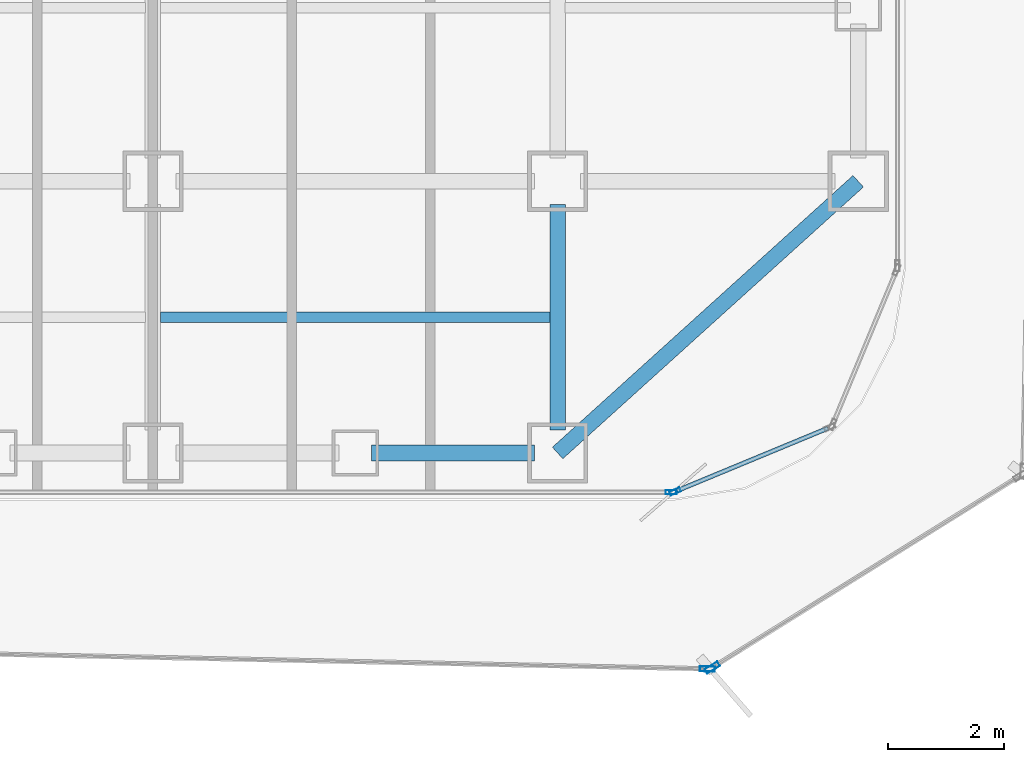
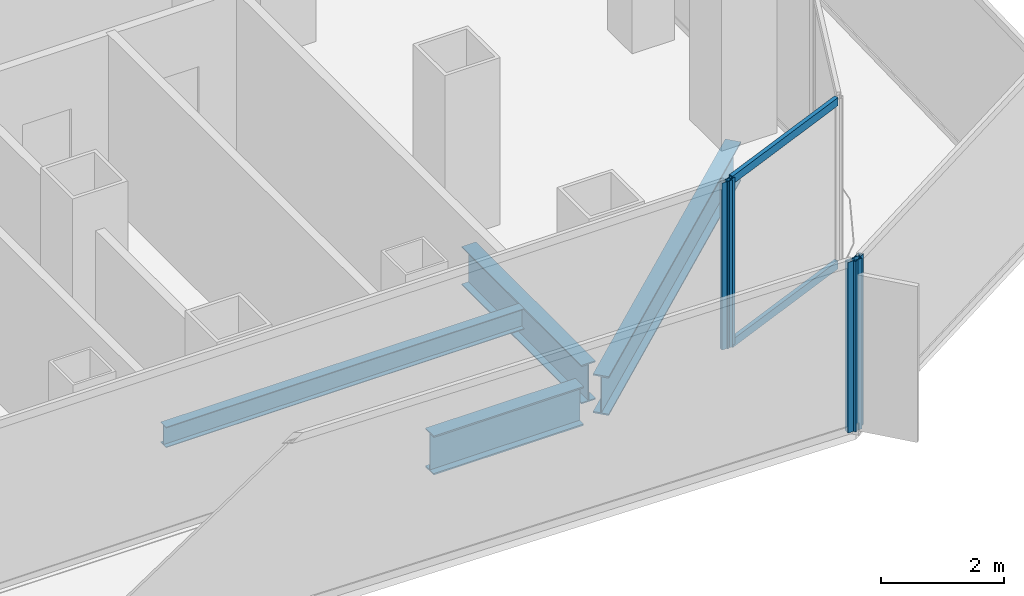
# One storey, part 6 of 21: 6 members, 4 beams, 4 elements without a shape of their own.
"""IFC4 building model written with IfcOpenShell, lengths in metres."""

from ifc_helpers import new_model, si_unit, direction, frame, origin, origin_2d, place, context, subcontext, project, spatial, hollow_rectangle, i_section, extrude, source, transform, mapped, material, layer, layer_set, material_profile, profile_set, type_object, element, aggregate, save


model = new_model("IFC4")

# Units and contexts
model_context = context("Model", 3, precision=1e-05, world=origin(), true_north=direction((0.0, 1.0)))
body_context = subcontext(model_context, "Body", "Model", "MODEL_VIEW")
ifc_project = project(units=[si_unit("LENGTHUNIT", "METRE"), si_unit("AREAUNIT", "SQUARE_METRE"), si_unit("VOLUMEUNIT", "CUBIC_METRE"), si_unit("PLANEANGLEUNIT", "RADIAN"), si_unit("MASSUNIT", "GRAM", prefix="KILO")], contexts=[model_context])

# Site, building, storey
site_placement = place(None, origin())
site = spatial("IfcSite", under=ifc_project, at=site_placement, CompositionType="ELEMENT")
building_placement = place(site_placement, origin())
building = spatial("IfcBuilding", under=site, at=building_placement, Name="Kolveth Station Tower", CompositionType="ELEMENT")
storey_placement = place(building_placement, frame((0.0, 0.0, 26.10009765625)))
storey = spatial("IfcBuildingStorey", under=building, at=storey_placement, Name="L06", CompositionType="ELEMENT", Elevation=26.10009765625)

# Beams
ifc_material_1 = material(Name="Steel S355", Category="steel")
ifc_material_profile_1 = material_profile(ifc_material_1, i_section(OverallWidth=0.26904296875, OverallDepth=0.77490234375, WebThickness=0.01708984375, FlangeThickness=0.0283203125, at=origin_2d()), Name="W760x220")
ifc_profile_set_1 = profile_set([ifc_material_profile_1], Name="Steel S355")
beam_type_1 = type_object("IfcBeamType", Name="Beam_SP1", PredefinedType="SPANDREL", material=ifc_profile_set_1)
shared_shape_1 = source(origin(), body_context, "Body", "SweptSolid", [
    extrude(i_section(OverallWidth=0.26904296875, OverallDepth=0.77490234375, WebThickness=0.01708984375, FlangeThickness=0.0283203125, at=origin_2d()), origin(), (0.0, 0.0, 1.0), 7.00927734375),
])
beam_1_placement = place(storey_placement, frame((41.0, 0.800048828125, -0.66748046875), z_axis=(0.741874009795, 0.670539300557, 0.0), x_axis=(-0.670539300557, 0.741874009795, 0.0)))
element("IfcBeam", 1, at=beam_1_placement, inside=storey, type_object=beam_type_1, Name="L06 Corner Edge Girder BM-L06-CNR-SE", PredefinedType="SPANDREL", context=body_context, shape_type="MappedRepresentation", body=[
    mapped(shared_shape_1, transform((0.0, 0.0, 0.0), x_axis=(1.0, 0.0, 0.0), y_axis=(0.0, 1.0, 0.0), z_axis=(0.0, 0.0, 1.0), scale=1.0)),
])
shared_shape_2 = source(origin(), body_context, "Body", "SweptSolid", [
    extrude(i_section(OverallWidth=0.26904296875, OverallDepth=0.77490234375, WebThickness=0.01708984375, FlangeThickness=0.0283203125, at=origin_2d()), origin(), (0.0, 0.0, 1.0), 2.820068359375),
])
beam_2_placement = place(storey_placement, frame((37.780029296875, 0.800048828125, -0.66748046875), z_axis=(1.0, 0.0, 0.0), x_axis=(0.0, 1.0, 0.0)))
element("IfcBeam", 2, at=beam_2_placement, inside=storey, type_object=beam_type_1, Name="L06 Perimeter Spandrel BM-L06-PS-10", PredefinedType="SPANDREL", context=body_context, shape_type="MappedRepresentation", body=[
    mapped(shared_shape_2, transform((0.0, 0.0, 0.0), x_axis=(1.0, 0.0, 0.0), y_axis=(0.0, 1.0, 0.0), z_axis=(0.0, 0.0, 1.0), scale=1.0)),
])
ifc_material_profile_2 = material_profile(ifc_material_1, i_section(OverallWidth=0.26708984375, OverallDepth=0.76611328125, WebThickness=0.014892578125, FlangeThickness=0.023681640625, at=origin_2d()), Name="W760x185")
ifc_profile_set_2 = profile_set([ifc_material_profile_2], Name="Steel S355")
beam_type_2 = type_object("IfcBeamType", Name="Beam_B3", PredefinedType="BEAM", material=ifc_profile_set_2)
shared_shape_3 = source(origin(), body_context, "Body", "SweptSolid", [
    extrude(i_section(OverallWidth=0.26708984375, OverallDepth=0.76611328125, WebThickness=0.014892578125, FlangeThickness=0.023681640625, at=origin_2d()), origin(), (0.0, 0.0, 1.0), 3.900146484375),
])
beam_3_placement = place(storey_placement, frame((41.0, 1.199951171875, -0.6630859375), z_axis=(0.0, 1.0, 0.0), x_axis=(-1.0, 0.0, 0.0)))
element("IfcBeam", 3, at=beam_3_placement, inside=storey, type_object=beam_type_2, Name="L06 Primary Girder BM-L06-GX410-1", PredefinedType="BEAM", context=body_context, shape_type="MappedRepresentation", body=[
    mapped(shared_shape_3, transform((0.0, 0.0, 0.0), x_axis=(1.0, 0.0, 0.0), y_axis=(0.0, 1.0, 0.0), z_axis=(0.0, 0.0, 1.0), scale=1.0)),
])
ifc_material_profile_3 = material_profile(ifc_material_1, i_section(OverallWidth=0.177978515625, OverallDepth=0.406982421875, WebThickness=0.0078125, FlangeThickness=0.0126953125, at=origin_2d()), Name="W410x60")
ifc_profile_set_3 = profile_set([ifc_material_profile_3], Name="Steel S355")
beam_type_3 = type_object("IfcBeamType", Name="Beam_J1", PredefinedType="JOIST", material=ifc_profile_set_3)
shared_shape_4 = source(origin(), body_context, "Body", "SweptSolid", [
    extrude(i_section(OverallWidth=0.177978515625, OverallDepth=0.406982421875, WebThickness=0.0078125, FlangeThickness=0.0126953125, at=origin_2d()), origin(), (0.0, 0.0, 1.0), 6.73681640625),
])
beam_4_placement = place(storey_placement, frame((34.131591796875, 3.14990234375, -0.483642578125), z_axis=(1.0, 0.0, 0.0), x_axis=(0.0, 1.0, 0.0)))
element("IfcBeam", 4, at=beam_4_placement, inside=storey, type_object=beam_type_3, Name="L06 Secondary Joist JST-L06-6-1", PredefinedType="JOIST", context=body_context, shape_type="MappedRepresentation", body=[
    mapped(shared_shape_4, transform((0.0, 0.0, 0.0), x_axis=(1.0, 0.0, 0.0), y_axis=(0.0, 1.0, 0.0), z_axis=(0.0, 0.0, 1.0), scale=1.0)),
])

# Curtain wall, members
ifc_material_2 = material(Name="Aluminium 6063-T6 and low-E dark glass", Category="aluminium")
ifc_layer_1 = layer(ifc_material_2, 0.179931640625)
ifc_layer_set_1 = layer_set([ifc_layer_1], Name="Aluminium 6063-T6 and low-E dark glass")
curtain_wall_type_1 = type_object("IfcCurtainWallType", Name="CurtainWall_CW-Z1", PredefinedType="NOTDEFINED", material=ifc_layer_set_1)
curtain_wall_1_placement = place(storey_placement, origin())
curtain_wall_1 = element("IfcCurtainWall", 5, at=curtain_wall_1_placement, inside=storey, type_object=curtain_wall_type_1, Name="L06 Inner Thermal Curtain Wall 1", PredefinedType="NOTDEFINED")
ifc_material_3 = material(Name="Black anodized aluminium 6063-T6", Category="aluminium")
ifc_material_profile_4 = material_profile(ifc_material_3, hollow_rectangle(XDim=0.074951171875, YDim=0.159912109375, WallThickness=0.0048828125, at=origin_2d()), Name="ALU-75x160x5")
ifc_profile_set_4 = profile_set([ifc_material_profile_4], Name="Black anodized aluminium 6063-T6")
member_type_1 = type_object("IfcMemberType", Name="Transom_TR1", PredefinedType="USERDEFINED", material=ifc_profile_set_4)
shared_shape_5 = source(origin(), body_context, "Body", "SweptSolid", [
    extrude(hollow_rectangle(XDim=0.074951171875, YDim=0.159912109375, WallThickness=0.0048828125, at=origin_2d()), origin(), (0.0, 0.0, 1.0), 2.819580078125),
])
member_1_placement = place(storey_placement, frame((43.0693359375, 0.148681640625, 0.037353515625), z_axis=(0.923869084389, 0.382708655389, 0.0), x_axis=(-0.382708655389, 0.923869084389, 0.0)))
member_1 = element("IfcMember", 6, at=member_1_placement, type_object=member_type_1, Name="CW-Z1 transom 1.1", ObjectType="TRANSOM", PredefinedType="USERDEFINED", context=body_context, shape_type="MappedRepresentation", body=[
    mapped(shared_shape_5, transform((0.0, 0.0, 0.0), x_axis=(1.0, 0.0, 0.0), y_axis=(0.0, 1.0, 0.0), z_axis=(0.0, 0.0, 1.0), scale=1.0)),
])
member_2_placement = place(storey_placement, frame((43.0693359375, 0.148681640625, 3.282470703125), z_axis=(0.923869084389, 0.382708655389, 0.0), x_axis=(-0.382708655389, 0.923869084389, 0.0)))
member_2 = element("IfcMember", 7, at=member_2_placement, type_object=member_type_1, Name="CW-Z1 transom 1.2", ObjectType="TRANSOM", PredefinedType="USERDEFINED", context=body_context, shape_type="MappedRepresentation", body=[
    mapped(shared_shape_5, transform((0.0, 0.0, 0.0), x_axis=(1.0, 0.0, 0.0), y_axis=(0.0, 1.0, 0.0), z_axis=(0.0, 0.0, 1.0), scale=1.0)),
])

# Curtain wall, member
ifc_material_4 = material(Name="Black anodized aluminium 6063-T6 and dark solar glass", Category="aluminium")
ifc_layer_2 = layer(ifc_material_4, 0.159912109375)
ifc_layer_set_2 = layer_set([ifc_layer_2], Name="Black anodized aluminium 6063-T6 and dark solar glass")
curtain_wall_type_2 = type_object("IfcCurtainWallType", Name="OUTER SKIN CW-OS", PredefinedType="NOTDEFINED", material=ifc_layer_set_2)
curtain_wall_2_placement = place(storey_placement, origin())
curtain_wall_2 = element("IfcCurtainWall", 8, at=curtain_wall_2_placement, inside=storey, type_object=curtain_wall_type_2, Name="L06 Outer Ventilated Skin Curtain Wall 1", PredefinedType="NOTDEFINED")
ifc_material_profile_5 = material_profile(ifc_material_3, hollow_rectangle(XDim=0.090087890625, YDim=0.260009765625, WallThickness=0.0048828125, at=origin_2d()), Name="ALU-90x260x5")
ifc_profile_set_5 = profile_set([ifc_material_profile_5], Name="Black anodized aluminium 6063-T6")
member_type_2 = type_object("IfcMemberType", Name="FIN MULLION ML-OS", PredefinedType="MULLION", material=ifc_profile_set_5)
shared_shape_6 = source(origin(), body_context, "Body", "SweptSolid", [
    extrude(hollow_rectangle(XDim=0.090087890625, YDim=0.260009765625, WallThickness=0.0048828125, at=origin_2d()), origin(), (0.0, 0.0, 1.0), 3.389892578125),
])
member_3_placement = place(storey_placement, frame((43.67529296875, -2.91357421875, 0.0), z_axis=(0.0, 0.0, 1.0), x_axis=(-0.528751332674, 0.848776783492, 0.0)))
member_3 = element("IfcMember", 9, at=member_3_placement, type_object=member_type_2, Name="CW-OS mullion 1", PredefinedType="MULLION", context=body_context, shape_type="MappedRepresentation", body=[
    mapped(shared_shape_6, transform((0.0, 0.0, 0.0), x_axis=(1.0, 0.0, 0.0), y_axis=(0.0, 1.0, 0.0), z_axis=(0.0, 0.0, 1.0), scale=1.0)),
])
aggregate(curtain_wall_2, [member_3])

curtain_wall_3_placement = place(storey_placement, origin())
curtain_wall_3 = element("IfcCurtainWall", 10, at=curtain_wall_3_placement, inside=storey, type_object=curtain_wall_type_2, Name="L06 Outer Ventilated Skin Curtain Wall 8", PredefinedType="NOTDEFINED")
member_4_placement = place(storey_placement, frame((43.592041015625, -2.9365234375, 0.0), z_axis=(0.0, 0.0, 1.0), x_axis=(0.020609842001, 0.999787594648, 0.0)))
member_4 = element("IfcMember", 11, at=member_4_placement, type_object=member_type_2, Name="CW-OS mullion 2", PredefinedType="MULLION", context=body_context, shape_type="MappedRepresentation", body=[
    mapped(shared_shape_6, transform((0.0, 0.0, 0.0), x_axis=(1.0, 0.0, 0.0), y_axis=(0.0, 1.0, 0.0), z_axis=(0.0, 0.0, 1.0), scale=1.0)),
])
aggregate(curtain_wall_3, [member_4])

# Member
ifc_material_profile_6 = material_profile(ifc_material_3, hollow_rectangle(XDim=0.074951171875, YDim=0.18994140625, WallThickness=0.0048828125, at=origin_2d()), Name="ALU-75x190x5")
ifc_profile_set_6 = profile_set([ifc_material_profile_6], Name="Black anodized aluminium 6063-T6")
member_type_3 = type_object("IfcMemberType", Name="Mullion_ML1", PredefinedType="MULLION", material=ifc_profile_set_6)
shared_shape_7 = source(origin(), body_context, "Body", "SweptSolid", [
    extrude(hollow_rectangle(XDim=0.074951171875, YDim=0.18994140625, WallThickness=0.0048828125, at=origin_2d()), origin(), (0.0, 0.0, 1.0), 3.31982421875),
])
member_5_placement = place(storey_placement, frame((43.03466796875, 0.13427734375, 0.0), z_axis=(0.0, 0.0, 1.0), x_axis=(-0.382672990201, 0.923883857728, 0.0)))
member_5 = element("IfcMember", 12, at=member_5_placement, type_object=member_type_3, Name="CW-Z1 mullion 1", PredefinedType="MULLION", context=body_context, shape_type="MappedRepresentation", body=[
    mapped(shared_shape_7, transform((0.0, 0.0, 0.0), x_axis=(1.0, 0.0, 0.0), y_axis=(0.0, 1.0, 0.0), z_axis=(0.0, 0.0, 1.0), scale=1.0)),
])

aggregate(curtain_wall_1, [member_5, member_1, member_2])

# Curtain wall, member
curtain_wall_4_placement = place(storey_placement, origin())
curtain_wall_4 = element("IfcCurtainWall", 13, at=curtain_wall_4_placement, inside=storey, type_object=curtain_wall_type_1, Name="L06 Inner Thermal Curtain Wall 12", PredefinedType="NOTDEFINED")
member_6_placement = place(storey_placement, frame((42.96240234375, 0.1201171875, 0.0), z_axis=(0.0, 0.0, 1.0), x_axis=(0.0, 1.0, 0.0)))
member_6 = element("IfcMember", 14, at=member_6_placement, type_object=member_type_3, Name="CW-Z1 mullion 3", PredefinedType="MULLION", context=body_context, shape_type="MappedRepresentation", body=[
    mapped(shared_shape_7, transform((0.0, 0.0, 0.0), x_axis=(1.0, 0.0, 0.0), y_axis=(0.0, 1.0, 0.0), z_axis=(0.0, 0.0, 1.0), scale=1.0)),
])
aggregate(curtain_wall_4, [member_6])

save(model, "model.ifc")
